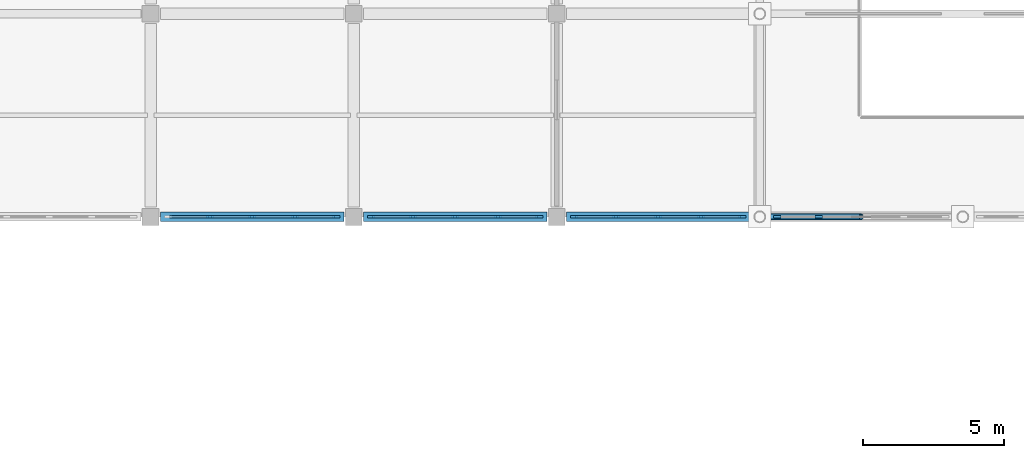
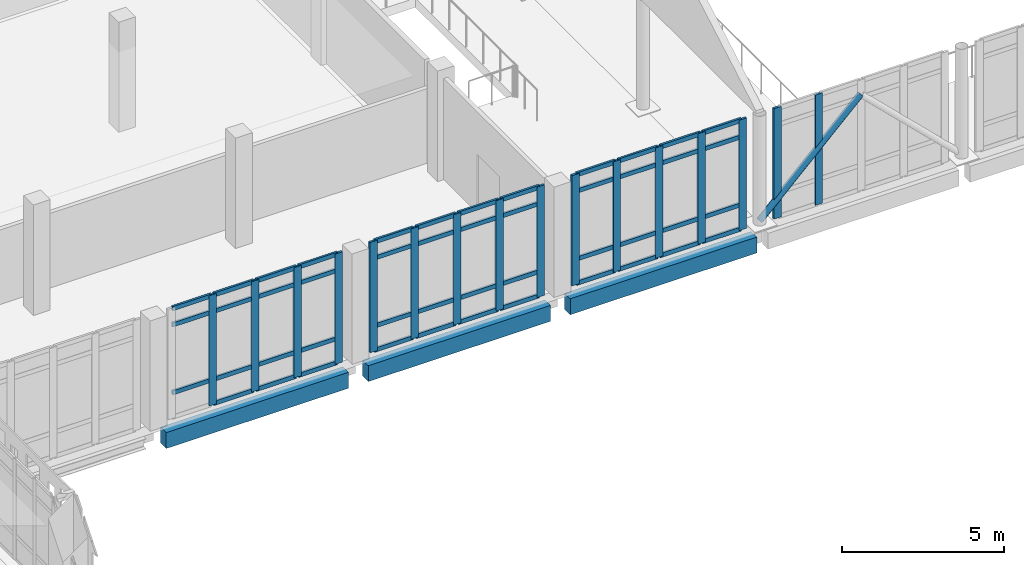
# One storey, part 9 of 62: 64 members, 3 beams, 4 elements without a shape of their own.
"""IFC4 building model written with IfcOpenShell, lengths in metres."""

from ifc_helpers import new_model, si_unit, direction, frame, origin, origin_2d, place, context, subcontext, project, spatial, rectangle, hollow_circle, extrude, material, layer, layer_set, material_profile, profile_set, type_object, element, aggregate, save


model = new_model("IFC4")

# Units and contexts
model_context = context("Model", 3, precision=1e-05, world=origin(), true_north=direction((0.0, 1.0)))
body_context = subcontext(model_context, "Body", "Model", "MODEL_VIEW")
ifc_project = project(units=[si_unit("LENGTHUNIT", "METRE"), si_unit("AREAUNIT", "SQUARE_METRE"), si_unit("VOLUMEUNIT", "CUBIC_METRE"), si_unit("PLANEANGLEUNIT", "RADIAN"), si_unit("MASSUNIT", "GRAM", prefix="KILO")], contexts=[model_context])

# Site, building, storey
site_placement = place(None, origin())
site = spatial("IfcSite", under=ifc_project, at=site_placement, CompositionType="ELEMENT")
building_placement = place(site_placement, origin())
building = spatial("IfcBuilding", under=site, at=building_placement, Name="Valkovuoma Quantum and Materials Research Institute", CompositionType="ELEMENT")
storey_placement = place(building_placement, frame((0.0, 0.0, 13.1201171875)))
storey = spatial("IfcBuildingStorey", under=building, at=storey_placement, Name="L03", CompositionType="ELEMENT", Elevation=13.1201171875)

# Beams
ifc_material_1 = material(Name="Concrete C40/50", Category="concrete")
ifc_material_profile_1 = material_profile(ifc_material_1, rectangle(XDim=0.35009765625, YDim=0.60009765625, at=origin_2d()), Name="Concrete C40/50")
ifc_profile_set_1 = profile_set([ifc_material_profile_1], Name="Concrete C40/50")
beam_type = type_object("IfcBeamType", Name="Beam-B-SPN600", PredefinedType="SPANDREL", material=ifc_profile_set_1)
for number, where, z_axis, x_axis, name in (
    (1, (21.949951171875, 36.0, -0.650146484375), (1.0, 0.0, 0.0), (0.0, 1.0, 0.0), "L03 beam X-1427"),
    (2, (29.14990234375, 36.0, -0.650146484375), (1.0, 0.0, 0.0), (0.0, 1.0, 0.0), "L03 beam X-1428"),
):
    element("IfcBeam", number, at=place(storey_placement, frame(where, z_axis=z_axis, x_axis=x_axis)), inside=storey, type_object=beam_type, Name=name, PredefinedType="SPANDREL", context=body_context, shape_type="SweptSolid", body=[
        extrude(rectangle(XDim=0.35009765625, YDim=0.60009765625, at=origin_2d()), origin(), (0.0, 0.0, 1.0), 6.5),
    ])
beam_placement = place(storey_placement, frame((36.35009765625, 36.0, -0.650146484375), z_axis=(1.0, 0.0, 0.0), x_axis=(0.0, 1.0, 0.0)))
element("IfcBeam", 3, at=beam_placement, inside=storey, type_object=beam_type, Name="L03 beam X-1429", PredefinedType="SPANDREL", context=body_context, shape_type="SweptSolid", body=[
    extrude(rectangle(XDim=0.35009765625, YDim=0.60009765625, at=origin_2d()), origin(), (0.0, 0.0, 1.0), 6.646728515625),
])

# Curtain wall, members
ifc_material_2 = material(Name="Thermally broken aluminium and triple low-E glazing", Category="aluminium")
ifc_layer = layer(ifc_material_2, 0.219970703125)
ifc_layer_set = layer_set([ifc_layer], Name="Thermally broken aluminium and triple low-E glazing")
curtain_wall_type = type_object("IfcCurtainWallType", Name="CW-CW-02", PredefinedType="NOTDEFINED", material=ifc_layer_set)
curtain_wall_1_placement = place(storey_placement, origin())
curtain_wall_1 = element("IfcCurtainWall", 4, at=curtain_wall_1_placement, inside=storey, type_object=curtain_wall_type, Name="L03 curtain wall 200", PredefinedType="NOTDEFINED")
ifc_material_3 = material(Name="Anodised aluminium 6060-T66", Category="aluminium")
ifc_material_profile_2 = material_profile(ifc_material_3, rectangle(XDim=0.080078125, YDim=0.260009765625, at=origin_2d()), Name="Anodised aluminium 6060-T66")
ifc_profile_set_2 = profile_set([ifc_material_profile_2], Name="Anodised aluminium 6060-T66")
member_type_1 = type_object("IfcMemberType", Name="CWMull-CWM-03", PredefinedType="MULLION", material=ifc_profile_set_2)
member_1_placement = place(storey_placement, frame((23.68994140625, 36.0, 0.0), z_axis=(0.0, 0.0, 1.0), x_axis=(0.0, 1.0, 0.0)))
member_1 = element("IfcMember", 5, at=member_1_placement, type_object=member_type_1, Name="CW-02 mullion 2", PredefinedType="MULLION", context=body_context, shape_type="SweptSolid", body=[
    extrude(rectangle(XDim=0.080078125, YDim=0.260009765625, at=origin_2d()), origin(), (0.0, 0.0, 1.0), 4.159912109375),
])
member_2_placement = place(storey_placement, frame((25.199951171875, 36.0, 0.0), z_axis=(0.0, 0.0, 1.0), x_axis=(0.0, 1.0, 0.0)))
member_2 = element("IfcMember", 6, at=member_2_placement, type_object=member_type_1, Name="CW-02 mullion 3", PredefinedType="MULLION", context=body_context, shape_type="SweptSolid", body=[
    extrude(rectangle(XDim=0.080078125, YDim=0.260009765625, at=origin_2d()), origin(), (0.0, 0.0, 1.0), 4.159912109375),
])
member_3_placement = place(storey_placement, frame((26.7099609375, 36.0, 0.0), z_axis=(0.0, 0.0, 1.0), x_axis=(0.0, 1.0, 0.0)))
member_3 = element("IfcMember", 7, at=member_3_placement, type_object=member_type_1, Name="CW-02 mullion 4", PredefinedType="MULLION", context=body_context, shape_type="SweptSolid", body=[
    extrude(rectangle(XDim=0.080078125, YDim=0.260009765625, at=origin_2d()), origin(), (0.0, 0.0, 1.0), 4.159912109375),
])
member_4_placement = place(storey_placement, frame((28.179931640625, 36.0, 0.0), z_axis=(0.0, 0.0, 1.0), x_axis=(0.0, 1.0, 0.0)))
member_4 = element("IfcMember", 8, at=member_4_placement, type_object=member_type_1, Name="CW-02 mullion 5", PredefinedType="MULLION", context=body_context, shape_type="SweptSolid", body=[
    extrude(rectangle(XDim=0.080078125, YDim=0.260009765625, at=origin_2d()), origin(), (0.0, 0.0, 1.0), 4.159912109375),
])

curtain_wall_2_placement = place(storey_placement, origin())
curtain_wall_2 = element("IfcCurtainWall", 9, at=curtain_wall_2_placement, inside=storey, type_object=curtain_wall_type, Name="L03 curtain wall 201", PredefinedType="NOTDEFINED")
member_5_placement = place(storey_placement, frame((29.419921875, 36.0, 0.0), z_axis=(0.0, 0.0, 1.0), x_axis=(0.0, 1.0, 0.0)))
member_5 = element("IfcMember", 10, at=member_5_placement, type_object=member_type_1, Name="CW-02 mullion 1", PredefinedType="MULLION", context=body_context, shape_type="SweptSolid", body=[
    extrude(rectangle(XDim=0.080078125, YDim=0.260009765625, at=origin_2d()), origin(), (0.0, 0.0, 1.0), 4.159912109375),
])
member_6_placement = place(storey_placement, frame((30.889892578125, 36.0, 0.0), z_axis=(0.0, 0.0, 1.0), x_axis=(0.0, 1.0, 0.0)))
member_6 = element("IfcMember", 11, at=member_6_placement, type_object=member_type_1, Name="CW-02 mullion 2", PredefinedType="MULLION", context=body_context, shape_type="SweptSolid", body=[
    extrude(rectangle(XDim=0.080078125, YDim=0.260009765625, at=origin_2d()), origin(), (0.0, 0.0, 1.0), 4.159912109375),
])
member_7_placement = place(storey_placement, frame((32.39990234375, 36.0, 0.0), z_axis=(0.0, 0.0, 1.0), x_axis=(0.0, 1.0, 0.0)))
member_7 = element("IfcMember", 12, at=member_7_placement, type_object=member_type_1, Name="CW-02 mullion 3", PredefinedType="MULLION", context=body_context, shape_type="SweptSolid", body=[
    extrude(rectangle(XDim=0.080078125, YDim=0.260009765625, at=origin_2d()), origin(), (0.0, 0.0, 1.0), 4.159912109375),
])
member_8_placement = place(storey_placement, frame((33.909912109375, 36.0, 0.0), z_axis=(0.0, 0.0, 1.0), x_axis=(0.0, 1.0, 0.0)))
member_8 = element("IfcMember", 13, at=member_8_placement, type_object=member_type_1, Name="CW-02 mullion 4", PredefinedType="MULLION", context=body_context, shape_type="SweptSolid", body=[
    extrude(rectangle(XDim=0.080078125, YDim=0.260009765625, at=origin_2d()), origin(), (0.0, 0.0, 1.0), 4.159912109375),
])
member_9_placement = place(storey_placement, frame((35.3798828125, 36.0, 0.0), z_axis=(0.0, 0.0, 1.0), x_axis=(0.0, 1.0, 0.0)))
member_9 = element("IfcMember", 14, at=member_9_placement, type_object=member_type_1, Name="CW-02 mullion 5", PredefinedType="MULLION", context=body_context, shape_type="SweptSolid", body=[
    extrude(rectangle(XDim=0.080078125, YDim=0.260009765625, at=origin_2d()), origin(), (0.0, 0.0, 1.0), 4.159912109375),
])

curtain_wall_3_placement = place(storey_placement, origin())
curtain_wall_3 = element("IfcCurtainWall", 15, at=curtain_wall_3_placement, inside=storey, type_object=curtain_wall_type, Name="L03 curtain wall 202", PredefinedType="NOTDEFINED")
member_10_placement = place(storey_placement, frame((36.6201171875, 36.0, 0.0), z_axis=(0.0, 0.0, 1.0), x_axis=(0.0, 1.0, 0.0)))
member_10 = element("IfcMember", 16, at=member_10_placement, type_object=member_type_1, Name="CW-02 mullion 1", PredefinedType="MULLION", context=body_context, shape_type="SweptSolid", body=[
    extrude(rectangle(XDim=0.080078125, YDim=0.260009765625, at=origin_2d()), origin(), (0.0, 0.0, 1.0), 4.159912109375),
])
member_11_placement = place(storey_placement, frame((38.090087890625, 36.0, 0.0), z_axis=(0.0, 0.0, 1.0), x_axis=(0.0, 1.0, 0.0)))
member_11 = element("IfcMember", 17, at=member_11_placement, type_object=member_type_1, Name="CW-02 mullion 2", PredefinedType="MULLION", context=body_context, shape_type="SweptSolid", body=[
    extrude(rectangle(XDim=0.080078125, YDim=0.260009765625, at=origin_2d()), origin(), (0.0, 0.0, 1.0), 4.159912109375),
])
member_12_placement = place(storey_placement, frame((39.60009765625, 36.0, 0.0), z_axis=(0.0, 0.0, 1.0), x_axis=(0.0, 1.0, 0.0)))
member_12 = element("IfcMember", 18, at=member_12_placement, type_object=member_type_1, Name="CW-02 mullion 3", PredefinedType="MULLION", context=body_context, shape_type="SweptSolid", body=[
    extrude(rectangle(XDim=0.080078125, YDim=0.260009765625, at=origin_2d()), origin(), (0.0, 0.0, 1.0), 4.159912109375),
])
member_13_placement = place(storey_placement, frame((41.110107421875, 36.0, 0.0), z_axis=(0.0, 0.0, 1.0), x_axis=(0.0, 1.0, 0.0)))
member_13 = element("IfcMember", 19, at=member_13_placement, type_object=member_type_1, Name="CW-02 mullion 4", PredefinedType="MULLION", context=body_context, shape_type="SweptSolid", body=[
    extrude(rectangle(XDim=0.080078125, YDim=0.260009765625, at=origin_2d()), origin(), (0.0, 0.0, 1.0), 4.159912109375),
])
member_14_placement = place(storey_placement, frame((42.580078125, 36.0, 0.0), z_axis=(0.0, 0.0, 1.0), x_axis=(0.0, 1.0, 0.0)))
member_14 = element("IfcMember", 20, at=member_14_placement, type_object=member_type_1, Name="CW-02 mullion 5", PredefinedType="MULLION", context=body_context, shape_type="SweptSolid", body=[
    extrude(rectangle(XDim=0.080078125, YDim=0.260009765625, at=origin_2d()), origin(), (0.0, 0.0, 1.0), 4.159912109375),
])

curtain_wall_4_placement = place(storey_placement, origin())
curtain_wall_4 = element("IfcCurtainWall", 21, at=curtain_wall_4_placement, inside=storey, type_object=curtain_wall_type, Name="L03 curtain wall 203", PredefinedType="NOTDEFINED")
member_15_placement = place(storey_placement, frame((43.820068359375, 36.0, 0.0), z_axis=(0.0, 0.0, 1.0), x_axis=(0.0, 1.0, 0.0)))
member_15 = element("IfcMember", 22, at=member_15_placement, type_object=member_type_1, Name="CW-02 mullion 1", PredefinedType="MULLION", context=body_context, shape_type="SweptSolid", body=[
    extrude(rectangle(XDim=0.080078125, YDim=0.260009765625, at=origin_2d()), origin(), (0.0, 0.0, 1.0), 4.159912109375),
])
member_16_placement = place(storey_placement, frame((45.2900390625, 36.0, 0.0), z_axis=(0.0, 0.0, 1.0), x_axis=(0.0, 1.0, 0.0)))
member_16 = element("IfcMember", 23, at=member_16_placement, type_object=member_type_1, Name="CW-02 mullion 2", PredefinedType="MULLION", context=body_context, shape_type="SweptSolid", body=[
    extrude(rectangle(XDim=0.080078125, YDim=0.260009765625, at=origin_2d()), origin(), (0.0, 0.0, 1.0), 4.159912109375),
])
aggregate(curtain_wall_4, [member_15, member_16])

# Member
ifc_material_4 = material(Name="Anodised aluminium 6060-T66", Category="aluminium")
ifc_material_profile_3 = material_profile(ifc_material_4, rectangle(XDim=0.074951171875, YDim=0.159912109375, at=origin_2d()), Name="Anodised aluminium 6060-T66")
ifc_profile_set_3 = profile_set([ifc_material_profile_3], Name="Anodised aluminium 6060-T66")
member_type_2 = type_object("IfcMemberType", Name="CWTran-CWT-02", PredefinedType="USERDEFINED", material=ifc_profile_set_3)
member_17_placement = place(storey_placement, frame((22.260009765625, 36.0, 0.949951171875), z_axis=(1.0, 0.0, 0.0), x_axis=(0.0, 1.0, 0.0)))
member_17 = element("IfcMember", 24, at=member_17_placement, type_object=member_type_2, Name="CW-02 transom 1.2", ObjectType="TRANSOM", PredefinedType="USERDEFINED", context=body_context, shape_type="SweptSolid", body=[
    extrude(rectangle(XDim=0.074951171875, YDim=0.159912109375, at=origin_2d()), origin(), (0.0, 0.0, 1.0), 1.389892578125),
])

member_18_placement = place(storey_placement, frame((22.260009765625, 36.0, 3.509765625), z_axis=(1.0, 0.0, 0.0), x_axis=(0.0, 1.0, 0.0)))
member_18 = element("IfcMember", 25, at=member_18_placement, type_object=member_type_2, Name="CW-02 transom 1.3", ObjectType="TRANSOM", PredefinedType="USERDEFINED", context=body_context, shape_type="SweptSolid", body=[
    extrude(rectangle(XDim=0.074951171875, YDim=0.159912109375, at=origin_2d()), origin(), (0.0, 0.0, 1.0), 1.389892578125),
])

member_19_placement = place(storey_placement, frame((22.260009765625, 36.0, 4.122314453125), z_axis=(1.0, 0.0, 0.0), x_axis=(0.0, 1.0, 0.0)))
member_19 = element("IfcMember", 26, at=member_19_placement, type_object=member_type_2, Name="CW-02 transom 1.4", ObjectType="TRANSOM", PredefinedType="USERDEFINED", context=body_context, shape_type="SweptSolid", body=[
    extrude(rectangle(XDim=0.074951171875, YDim=0.159912109375, at=origin_2d()), origin(), (0.0, 0.0, 1.0), 1.389892578125),
])

member_20_placement = place(storey_placement, frame((23.72998046875, 36.0, 0.037353515625), z_axis=(1.0, 0.0, 0.0), x_axis=(0.0, 1.0, 0.0)))
member_20 = element("IfcMember", 27, at=member_20_placement, type_object=member_type_2, Name="CW-02 transom 2.1", ObjectType="TRANSOM", PredefinedType="USERDEFINED", context=body_context, shape_type="SweptSolid", body=[
    extrude(rectangle(XDim=0.074951171875, YDim=0.159912109375, at=origin_2d()), origin(), (0.0, 0.0, 1.0), 1.429931640625),
])

member_21_placement = place(storey_placement, frame((23.72998046875, 36.0, 0.949951171875), z_axis=(1.0, 0.0, 0.0), x_axis=(0.0, 1.0, 0.0)))
member_21 = element("IfcMember", 28, at=member_21_placement, type_object=member_type_2, Name="CW-02 transom 2.2", ObjectType="TRANSOM", PredefinedType="USERDEFINED", context=body_context, shape_type="SweptSolid", body=[
    extrude(rectangle(XDim=0.074951171875, YDim=0.159912109375, at=origin_2d()), origin(), (0.0, 0.0, 1.0), 1.429931640625),
])

member_22_placement = place(storey_placement, frame((23.72998046875, 36.0, 3.509765625), z_axis=(1.0, 0.0, 0.0), x_axis=(0.0, 1.0, 0.0)))
member_22 = element("IfcMember", 29, at=member_22_placement, type_object=member_type_2, Name="CW-02 transom 2.3", ObjectType="TRANSOM", PredefinedType="USERDEFINED", context=body_context, shape_type="SweptSolid", body=[
    extrude(rectangle(XDim=0.074951171875, YDim=0.159912109375, at=origin_2d()), origin(), (0.0, 0.0, 1.0), 1.429931640625),
])

member_23_placement = place(storey_placement, frame((23.72998046875, 36.0, 4.122314453125), z_axis=(1.0, 0.0, 0.0), x_axis=(0.0, 1.0, 0.0)))
member_23 = element("IfcMember", 30, at=member_23_placement, type_object=member_type_2, Name="CW-02 transom 2.4", ObjectType="TRANSOM", PredefinedType="USERDEFINED", context=body_context, shape_type="SweptSolid", body=[
    extrude(rectangle(XDim=0.074951171875, YDim=0.159912109375, at=origin_2d()), origin(), (0.0, 0.0, 1.0), 1.429931640625),
])

member_24_placement = place(storey_placement, frame((25.239990234375, 36.0, 0.037353515625), z_axis=(1.0, 0.0, 0.0), x_axis=(0.0, 1.0, 0.0)))
member_24 = element("IfcMember", 31, at=member_24_placement, type_object=member_type_2, Name="CW-02 transom 3.1", ObjectType="TRANSOM", PredefinedType="USERDEFINED", context=body_context, shape_type="SweptSolid", body=[
    extrude(rectangle(XDim=0.074951171875, YDim=0.159912109375, at=origin_2d()), origin(), (0.0, 0.0, 1.0), 1.429931640625),
])

member_25_placement = place(storey_placement, frame((25.239990234375, 36.0, 0.949951171875), z_axis=(1.0, 0.0, 0.0), x_axis=(0.0, 1.0, 0.0)))
member_25 = element("IfcMember", 32, at=member_25_placement, type_object=member_type_2, Name="CW-02 transom 3.2", ObjectType="TRANSOM", PredefinedType="USERDEFINED", context=body_context, shape_type="SweptSolid", body=[
    extrude(rectangle(XDim=0.074951171875, YDim=0.159912109375, at=origin_2d()), origin(), (0.0, 0.0, 1.0), 1.429931640625),
])

member_26_placement = place(storey_placement, frame((25.239990234375, 36.0, 3.509765625), z_axis=(1.0, 0.0, 0.0), x_axis=(0.0, 1.0, 0.0)))
member_26 = element("IfcMember", 33, at=member_26_placement, type_object=member_type_2, Name="CW-02 transom 3.3", ObjectType="TRANSOM", PredefinedType="USERDEFINED", context=body_context, shape_type="SweptSolid", body=[
    extrude(rectangle(XDim=0.074951171875, YDim=0.159912109375, at=origin_2d()), origin(), (0.0, 0.0, 1.0), 1.429931640625),
])

member_27_placement = place(storey_placement, frame((25.239990234375, 36.0, 4.122314453125), z_axis=(1.0, 0.0, 0.0), x_axis=(0.0, 1.0, 0.0)))
member_27 = element("IfcMember", 34, at=member_27_placement, type_object=member_type_2, Name="CW-02 transom 3.4", ObjectType="TRANSOM", PredefinedType="USERDEFINED", context=body_context, shape_type="SweptSolid", body=[
    extrude(rectangle(XDim=0.074951171875, YDim=0.159912109375, at=origin_2d()), origin(), (0.0, 0.0, 1.0), 1.429931640625),
])

member_28_placement = place(storey_placement, frame((26.75, 36.0, 0.037353515625), z_axis=(1.0, 0.0, 0.0), x_axis=(0.0, 1.0, 0.0)))
member_28 = element("IfcMember", 35, at=member_28_placement, type_object=member_type_2, Name="CW-02 transom 4.1", ObjectType="TRANSOM", PredefinedType="USERDEFINED", context=body_context, shape_type="SweptSolid", body=[
    extrude(rectangle(XDim=0.074951171875, YDim=0.159912109375, at=origin_2d()), origin(), (0.0, 0.0, 1.0), 1.389892578125),
])

member_29_placement = place(storey_placement, frame((26.75, 36.0, 0.949951171875), z_axis=(1.0, 0.0, 0.0), x_axis=(0.0, 1.0, 0.0)))
member_29 = element("IfcMember", 36, at=member_29_placement, type_object=member_type_2, Name="CW-02 transom 4.2", ObjectType="TRANSOM", PredefinedType="USERDEFINED", context=body_context, shape_type="SweptSolid", body=[
    extrude(rectangle(XDim=0.074951171875, YDim=0.159912109375, at=origin_2d()), origin(), (0.0, 0.0, 1.0), 1.389892578125),
])

member_30_placement = place(storey_placement, frame((26.75, 36.0, 3.509765625), z_axis=(1.0, 0.0, 0.0), x_axis=(0.0, 1.0, 0.0)))
member_30 = element("IfcMember", 37, at=member_30_placement, type_object=member_type_2, Name="CW-02 transom 4.3", ObjectType="TRANSOM", PredefinedType="USERDEFINED", context=body_context, shape_type="SweptSolid", body=[
    extrude(rectangle(XDim=0.074951171875, YDim=0.159912109375, at=origin_2d()), origin(), (0.0, 0.0, 1.0), 1.389892578125),
])

member_31_placement = place(storey_placement, frame((26.75, 36.0, 4.122314453125), z_axis=(1.0, 0.0, 0.0), x_axis=(0.0, 1.0, 0.0)))
member_31 = element("IfcMember", 38, at=member_31_placement, type_object=member_type_2, Name="CW-02 transom 4.4", ObjectType="TRANSOM", PredefinedType="USERDEFINED", context=body_context, shape_type="SweptSolid", body=[
    extrude(rectangle(XDim=0.074951171875, YDim=0.159912109375, at=origin_2d()), origin(), (0.0, 0.0, 1.0), 1.389892578125),
])

aggregate(curtain_wall_1, [member_1, member_2, member_3, member_4, member_17, member_18, member_19, member_20, member_21, member_22, member_23, member_24, member_25, member_26, member_27, member_28, member_29, member_30, member_31])

member_32_placement = place(storey_placement, frame((29.4599609375, 36.0, 0.037353515625), z_axis=(1.0, 0.0, 0.0), x_axis=(0.0, 1.0, 0.0)))
member_32 = element("IfcMember", 39, at=member_32_placement, type_object=member_type_2, Name="CW-02 transom 1.1", ObjectType="TRANSOM", PredefinedType="USERDEFINED", context=body_context, shape_type="SweptSolid", body=[
    extrude(rectangle(XDim=0.074951171875, YDim=0.159912109375, at=origin_2d()), origin(), (0.0, 0.0, 1.0), 1.39013671875),
])

member_33_placement = place(storey_placement, frame((29.4599609375, 36.0, 0.949951171875), z_axis=(1.0, 0.0, 0.0), x_axis=(0.0, 1.0, 0.0)))
member_33 = element("IfcMember", 40, at=member_33_placement, type_object=member_type_2, Name="CW-02 transom 1.2", ObjectType="TRANSOM", PredefinedType="USERDEFINED", context=body_context, shape_type="SweptSolid", body=[
    extrude(rectangle(XDim=0.074951171875, YDim=0.159912109375, at=origin_2d()), origin(), (0.0, 0.0, 1.0), 1.39013671875),
])

member_34_placement = place(storey_placement, frame((29.4599609375, 36.0, 3.509765625), z_axis=(1.0, 0.0, 0.0), x_axis=(0.0, 1.0, 0.0)))
member_34 = element("IfcMember", 41, at=member_34_placement, type_object=member_type_2, Name="CW-02 transom 1.3", ObjectType="TRANSOM", PredefinedType="USERDEFINED", context=body_context, shape_type="SweptSolid", body=[
    extrude(rectangle(XDim=0.074951171875, YDim=0.159912109375, at=origin_2d()), origin(), (0.0, 0.0, 1.0), 1.39013671875),
])

member_35_placement = place(storey_placement, frame((29.4599609375, 36.0, 4.122314453125), z_axis=(1.0, 0.0, 0.0), x_axis=(0.0, 1.0, 0.0)))
member_35 = element("IfcMember", 42, at=member_35_placement, type_object=member_type_2, Name="CW-02 transom 1.4", ObjectType="TRANSOM", PredefinedType="USERDEFINED", context=body_context, shape_type="SweptSolid", body=[
    extrude(rectangle(XDim=0.074951171875, YDim=0.159912109375, at=origin_2d()), origin(), (0.0, 0.0, 1.0), 1.39013671875),
])

member_36_placement = place(storey_placement, frame((30.929931640625, 36.0, 0.037353515625), z_axis=(1.0, 0.0, 0.0), x_axis=(0.0, 1.0, 0.0)))
member_36 = element("IfcMember", 43, at=member_36_placement, type_object=member_type_2, Name="CW-02 transom 2.1", ObjectType="TRANSOM", PredefinedType="USERDEFINED", context=body_context, shape_type="SweptSolid", body=[
    extrude(rectangle(XDim=0.074951171875, YDim=0.159912109375, at=origin_2d()), origin(), (0.0, 0.0, 1.0), 1.43017578125),
])

member_37_placement = place(storey_placement, frame((30.929931640625, 36.0, 0.949951171875), z_axis=(1.0, 0.0, 0.0), x_axis=(0.0, 1.0, 0.0)))
member_37 = element("IfcMember", 44, at=member_37_placement, type_object=member_type_2, Name="CW-02 transom 2.2", ObjectType="TRANSOM", PredefinedType="USERDEFINED", context=body_context, shape_type="SweptSolid", body=[
    extrude(rectangle(XDim=0.074951171875, YDim=0.159912109375, at=origin_2d()), origin(), (0.0, 0.0, 1.0), 1.43017578125),
])

member_38_placement = place(storey_placement, frame((30.929931640625, 36.0, 3.509765625), z_axis=(1.0, 0.0, 0.0), x_axis=(0.0, 1.0, 0.0)))
member_38 = element("IfcMember", 45, at=member_38_placement, type_object=member_type_2, Name="CW-02 transom 2.3", ObjectType="TRANSOM", PredefinedType="USERDEFINED", context=body_context, shape_type="SweptSolid", body=[
    extrude(rectangle(XDim=0.074951171875, YDim=0.159912109375, at=origin_2d()), origin(), (0.0, 0.0, 1.0), 1.43017578125),
])

member_39_placement = place(storey_placement, frame((30.929931640625, 36.0, 4.122314453125), z_axis=(1.0, 0.0, 0.0), x_axis=(0.0, 1.0, 0.0)))
member_39 = element("IfcMember", 46, at=member_39_placement, type_object=member_type_2, Name="CW-02 transom 2.4", ObjectType="TRANSOM", PredefinedType="USERDEFINED", context=body_context, shape_type="SweptSolid", body=[
    extrude(rectangle(XDim=0.074951171875, YDim=0.159912109375, at=origin_2d()), origin(), (0.0, 0.0, 1.0), 1.43017578125),
])

member_40_placement = place(storey_placement, frame((32.43994140625, 36.0, 0.037353515625), z_axis=(1.0, 0.0, 0.0), x_axis=(0.0, 1.0, 0.0)))
member_40 = element("IfcMember", 47, at=member_40_placement, type_object=member_type_2, Name="CW-02 transom 3.1", ObjectType="TRANSOM", PredefinedType="USERDEFINED", context=body_context, shape_type="SweptSolid", body=[
    extrude(rectangle(XDim=0.074951171875, YDim=0.159912109375, at=origin_2d()), origin(), (0.0, 0.0, 1.0), 1.43017578125),
])

member_41_placement = place(storey_placement, frame((32.43994140625, 36.0, 0.949951171875), z_axis=(1.0, 0.0, 0.0), x_axis=(0.0, 1.0, 0.0)))
member_41 = element("IfcMember", 48, at=member_41_placement, type_object=member_type_2, Name="CW-02 transom 3.2", ObjectType="TRANSOM", PredefinedType="USERDEFINED", context=body_context, shape_type="SweptSolid", body=[
    extrude(rectangle(XDim=0.074951171875, YDim=0.159912109375, at=origin_2d()), origin(), (0.0, 0.0, 1.0), 1.43017578125),
])

member_42_placement = place(storey_placement, frame((32.43994140625, 36.0, 3.509765625), z_axis=(1.0, 0.0, 0.0), x_axis=(0.0, 1.0, 0.0)))
member_42 = element("IfcMember", 49, at=member_42_placement, type_object=member_type_2, Name="CW-02 transom 3.3", ObjectType="TRANSOM", PredefinedType="USERDEFINED", context=body_context, shape_type="SweptSolid", body=[
    extrude(rectangle(XDim=0.074951171875, YDim=0.159912109375, at=origin_2d()), origin(), (0.0, 0.0, 1.0), 1.43017578125),
])

member_43_placement = place(storey_placement, frame((32.43994140625, 36.0, 4.122314453125), z_axis=(1.0, 0.0, 0.0), x_axis=(0.0, 1.0, 0.0)))
member_43 = element("IfcMember", 50, at=member_43_placement, type_object=member_type_2, Name="CW-02 transom 3.4", ObjectType="TRANSOM", PredefinedType="USERDEFINED", context=body_context, shape_type="SweptSolid", body=[
    extrude(rectangle(XDim=0.074951171875, YDim=0.159912109375, at=origin_2d()), origin(), (0.0, 0.0, 1.0), 1.43017578125),
])

member_44_placement = place(storey_placement, frame((33.949951171875, 36.0, 0.037353515625), z_axis=(1.0, 0.0, 0.0), x_axis=(0.0, 1.0, 0.0)))
member_44 = element("IfcMember", 51, at=member_44_placement, type_object=member_type_2, Name="CW-02 transom 4.1", ObjectType="TRANSOM", PredefinedType="USERDEFINED", context=body_context, shape_type="SweptSolid", body=[
    extrude(rectangle(XDim=0.074951171875, YDim=0.159912109375, at=origin_2d()), origin(), (0.0, 0.0, 1.0), 1.39013671875),
])

member_45_placement = place(storey_placement, frame((33.949951171875, 36.0, 0.949951171875), z_axis=(1.0, 0.0, 0.0), x_axis=(0.0, 1.0, 0.0)))
member_45 = element("IfcMember", 52, at=member_45_placement, type_object=member_type_2, Name="CW-02 transom 4.2", ObjectType="TRANSOM", PredefinedType="USERDEFINED", context=body_context, shape_type="SweptSolid", body=[
    extrude(rectangle(XDim=0.074951171875, YDim=0.159912109375, at=origin_2d()), origin(), (0.0, 0.0, 1.0), 1.39013671875),
])

member_46_placement = place(storey_placement, frame((33.949951171875, 36.0, 3.509765625), z_axis=(1.0, 0.0, 0.0), x_axis=(0.0, 1.0, 0.0)))
member_46 = element("IfcMember", 53, at=member_46_placement, type_object=member_type_2, Name="CW-02 transom 4.3", ObjectType="TRANSOM", PredefinedType="USERDEFINED", context=body_context, shape_type="SweptSolid", body=[
    extrude(rectangle(XDim=0.074951171875, YDim=0.159912109375, at=origin_2d()), origin(), (0.0, 0.0, 1.0), 1.39013671875),
])

member_47_placement = place(storey_placement, frame((33.949951171875, 36.0, 4.122314453125), z_axis=(1.0, 0.0, 0.0), x_axis=(0.0, 1.0, 0.0)))
member_47 = element("IfcMember", 54, at=member_47_placement, type_object=member_type_2, Name="CW-02 transom 4.4", ObjectType="TRANSOM", PredefinedType="USERDEFINED", context=body_context, shape_type="SweptSolid", body=[
    extrude(rectangle(XDim=0.074951171875, YDim=0.159912109375, at=origin_2d()), origin(), (0.0, 0.0, 1.0), 1.39013671875),
])

aggregate(curtain_wall_2, [member_5, member_6, member_7, member_8, member_9, member_32, member_33, member_34, member_35, member_36, member_37, member_38, member_39, member_40, member_41, member_42, member_43, member_44, member_45, member_46, member_47])

member_48_placement = place(storey_placement, frame((36.659912109375, 36.0, 0.037353515625), z_axis=(1.0, 0.0, 0.0), x_axis=(0.0, 1.0, 0.0)))
member_48 = element("IfcMember", 55, at=member_48_placement, type_object=member_type_2, Name="CW-02 transom 1.1", ObjectType="TRANSOM", PredefinedType="USERDEFINED", context=body_context, shape_type="SweptSolid", body=[
    extrude(rectangle(XDim=0.074951171875, YDim=0.159912109375, at=origin_2d()), origin(), (0.0, 0.0, 1.0), 1.39013671875),
])

member_49_placement = place(storey_placement, frame((36.659912109375, 36.0, 0.949951171875), z_axis=(1.0, 0.0, 0.0), x_axis=(0.0, 1.0, 0.0)))
member_49 = element("IfcMember", 56, at=member_49_placement, type_object=member_type_2, Name="CW-02 transom 1.2", ObjectType="TRANSOM", PredefinedType="USERDEFINED", context=body_context, shape_type="SweptSolid", body=[
    extrude(rectangle(XDim=0.074951171875, YDim=0.159912109375, at=origin_2d()), origin(), (0.0, 0.0, 1.0), 1.39013671875),
])

member_50_placement = place(storey_placement, frame((36.659912109375, 36.0, 3.509765625), z_axis=(1.0, 0.0, 0.0), x_axis=(0.0, 1.0, 0.0)))
member_50 = element("IfcMember", 57, at=member_50_placement, type_object=member_type_2, Name="CW-02 transom 1.3", ObjectType="TRANSOM", PredefinedType="USERDEFINED", context=body_context, shape_type="SweptSolid", body=[
    extrude(rectangle(XDim=0.074951171875, YDim=0.159912109375, at=origin_2d()), origin(), (0.0, 0.0, 1.0), 1.39013671875),
])

member_51_placement = place(storey_placement, frame((36.659912109375, 36.0, 4.122314453125), z_axis=(1.0, 0.0, 0.0), x_axis=(0.0, 1.0, 0.0)))
member_51 = element("IfcMember", 58, at=member_51_placement, type_object=member_type_2, Name="CW-02 transom 1.4", ObjectType="TRANSOM", PredefinedType="USERDEFINED", context=body_context, shape_type="SweptSolid", body=[
    extrude(rectangle(XDim=0.074951171875, YDim=0.159912109375, at=origin_2d()), origin(), (0.0, 0.0, 1.0), 1.39013671875),
])

member_52_placement = place(storey_placement, frame((38.1298828125, 36.0, 0.037353515625), z_axis=(1.0, 0.0, 0.0), x_axis=(0.0, 1.0, 0.0)))
member_52 = element("IfcMember", 59, at=member_52_placement, type_object=member_type_2, Name="CW-02 transom 2.1", ObjectType="TRANSOM", PredefinedType="USERDEFINED", context=body_context, shape_type="SweptSolid", body=[
    extrude(rectangle(XDim=0.074951171875, YDim=0.159912109375, at=origin_2d()), origin(), (0.0, 0.0, 1.0), 1.43017578125),
])

member_53_placement = place(storey_placement, frame((38.1298828125, 36.0, 0.949951171875), z_axis=(1.0, 0.0, 0.0), x_axis=(0.0, 1.0, 0.0)))
member_53 = element("IfcMember", 60, at=member_53_placement, type_object=member_type_2, Name="CW-02 transom 2.2", ObjectType="TRANSOM", PredefinedType="USERDEFINED", context=body_context, shape_type="SweptSolid", body=[
    extrude(rectangle(XDim=0.074951171875, YDim=0.159912109375, at=origin_2d()), origin(), (0.0, 0.0, 1.0), 1.43017578125),
])

member_54_placement = place(storey_placement, frame((38.1298828125, 36.0, 3.509765625), z_axis=(1.0, 0.0, 0.0), x_axis=(0.0, 1.0, 0.0)))
member_54 = element("IfcMember", 61, at=member_54_placement, type_object=member_type_2, Name="CW-02 transom 2.3", ObjectType="TRANSOM", PredefinedType="USERDEFINED", context=body_context, shape_type="SweptSolid", body=[
    extrude(rectangle(XDim=0.074951171875, YDim=0.159912109375, at=origin_2d()), origin(), (0.0, 0.0, 1.0), 1.43017578125),
])

member_55_placement = place(storey_placement, frame((38.1298828125, 36.0, 4.122314453125), z_axis=(1.0, 0.0, 0.0), x_axis=(0.0, 1.0, 0.0)))
member_55 = element("IfcMember", 62, at=member_55_placement, type_object=member_type_2, Name="CW-02 transom 2.4", ObjectType="TRANSOM", PredefinedType="USERDEFINED", context=body_context, shape_type="SweptSolid", body=[
    extrude(rectangle(XDim=0.074951171875, YDim=0.159912109375, at=origin_2d()), origin(), (0.0, 0.0, 1.0), 1.43017578125),
])

member_56_placement = place(storey_placement, frame((39.639892578125, 36.0, 0.037353515625), z_axis=(1.0, 0.0, 0.0), x_axis=(0.0, 1.0, 0.0)))
member_56 = element("IfcMember", 63, at=member_56_placement, type_object=member_type_2, Name="CW-02 transom 3.1", ObjectType="TRANSOM", PredefinedType="USERDEFINED", context=body_context, shape_type="SweptSolid", body=[
    extrude(rectangle(XDim=0.074951171875, YDim=0.159912109375, at=origin_2d()), origin(), (0.0, 0.0, 1.0), 1.43017578125),
])

member_57_placement = place(storey_placement, frame((39.639892578125, 36.0, 0.949951171875), z_axis=(1.0, 0.0, 0.0), x_axis=(0.0, 1.0, 0.0)))
member_57 = element("IfcMember", 64, at=member_57_placement, type_object=member_type_2, Name="CW-02 transom 3.2", ObjectType="TRANSOM", PredefinedType="USERDEFINED", context=body_context, shape_type="SweptSolid", body=[
    extrude(rectangle(XDim=0.074951171875, YDim=0.159912109375, at=origin_2d()), origin(), (0.0, 0.0, 1.0), 1.43017578125),
])

member_58_placement = place(storey_placement, frame((39.639892578125, 36.0, 3.509765625), z_axis=(1.0, 0.0, 0.0), x_axis=(0.0, 1.0, 0.0)))
member_58 = element("IfcMember", 65, at=member_58_placement, type_object=member_type_2, Name="CW-02 transom 3.3", ObjectType="TRANSOM", PredefinedType="USERDEFINED", context=body_context, shape_type="SweptSolid", body=[
    extrude(rectangle(XDim=0.074951171875, YDim=0.159912109375, at=origin_2d()), origin(), (0.0, 0.0, 1.0), 1.43017578125),
])

member_59_placement = place(storey_placement, frame((39.639892578125, 36.0, 4.122314453125), z_axis=(1.0, 0.0, 0.0), x_axis=(0.0, 1.0, 0.0)))
member_59 = element("IfcMember", 66, at=member_59_placement, type_object=member_type_2, Name="CW-02 transom 3.4", ObjectType="TRANSOM", PredefinedType="USERDEFINED", context=body_context, shape_type="SweptSolid", body=[
    extrude(rectangle(XDim=0.074951171875, YDim=0.159912109375, at=origin_2d()), origin(), (0.0, 0.0, 1.0), 1.43017578125),
])

member_60_placement = place(storey_placement, frame((41.14990234375, 36.0, 0.037353515625), z_axis=(1.0, 0.0, 0.0), x_axis=(0.0, 1.0, 0.0)))
member_60 = element("IfcMember", 67, at=member_60_placement, type_object=member_type_2, Name="CW-02 transom 4.1", ObjectType="TRANSOM", PredefinedType="USERDEFINED", context=body_context, shape_type="SweptSolid", body=[
    extrude(rectangle(XDim=0.074951171875, YDim=0.159912109375, at=origin_2d()), origin(), (0.0, 0.0, 1.0), 1.39013671875),
])

member_61_placement = place(storey_placement, frame((41.14990234375, 36.0, 0.949951171875), z_axis=(1.0, 0.0, 0.0), x_axis=(0.0, 1.0, 0.0)))
member_61 = element("IfcMember", 68, at=member_61_placement, type_object=member_type_2, Name="CW-02 transom 4.2", ObjectType="TRANSOM", PredefinedType="USERDEFINED", context=body_context, shape_type="SweptSolid", body=[
    extrude(rectangle(XDim=0.074951171875, YDim=0.159912109375, at=origin_2d()), origin(), (0.0, 0.0, 1.0), 1.39013671875),
])

member_62_placement = place(storey_placement, frame((41.14990234375, 36.0, 3.509765625), z_axis=(1.0, 0.0, 0.0), x_axis=(0.0, 1.0, 0.0)))
member_62 = element("IfcMember", 69, at=member_62_placement, type_object=member_type_2, Name="CW-02 transom 4.3", ObjectType="TRANSOM", PredefinedType="USERDEFINED", context=body_context, shape_type="SweptSolid", body=[
    extrude(rectangle(XDim=0.074951171875, YDim=0.159912109375, at=origin_2d()), origin(), (0.0, 0.0, 1.0), 1.39013671875),
])

member_63_placement = place(storey_placement, frame((41.14990234375, 36.0, 4.122314453125), z_axis=(1.0, 0.0, 0.0), x_axis=(0.0, 1.0, 0.0)))
member_63 = element("IfcMember", 70, at=member_63_placement, type_object=member_type_2, Name="CW-02 transom 4.4", ObjectType="TRANSOM", PredefinedType="USERDEFINED", context=body_context, shape_type="SweptSolid", body=[
    extrude(rectangle(XDim=0.074951171875, YDim=0.159912109375, at=origin_2d()), origin(), (0.0, 0.0, 1.0), 1.39013671875),
])

aggregate(curtain_wall_3, [member_10, member_11, member_12, member_13, member_14, member_48, member_49, member_50, member_51, member_52, member_53, member_54, member_55, member_56, member_57, member_58, member_59, member_60, member_61, member_62, member_63])

ifc_material_5 = material(Name="Steel S355J2H", Category="steel")
ifc_material_profile_4 = material_profile(ifc_material_5, hollow_circle(Radius=0.109619140625, WallThickness=0.010009765625, at=origin_2d()), Name="Steel S355J2H")
ifc_profile_set_4 = profile_set([ifc_material_profile_4], Name="Steel S355J2H")
member_type_3 = type_object("IfcMemberType", Name="Mem-M-BRC219", PredefinedType="BRACE", material=ifc_profile_set_4)
member_64_placement = place(storey_placement, frame((43.199951171875, 36.0, 0.099853515625), z_axis=(0.716008634166, 0.0, 0.698091423668), x_axis=(0.0, 1.0, 0.0)))
element("IfcMember", 71, at=member_64_placement, inside=storey, type_object=member_type_3, Name="L03 chevron wind brace 04A", PredefinedType="BRACE", context=body_context, shape_type="SweptSolid", body=[
    extrude(hollow_circle(Radius=0.109619140625, WallThickness=0.010009765625, at=origin_2d()), origin(), (0.0, 0.0, 1.0), 5.028076171875),
])

save(model, "model.ifc")
